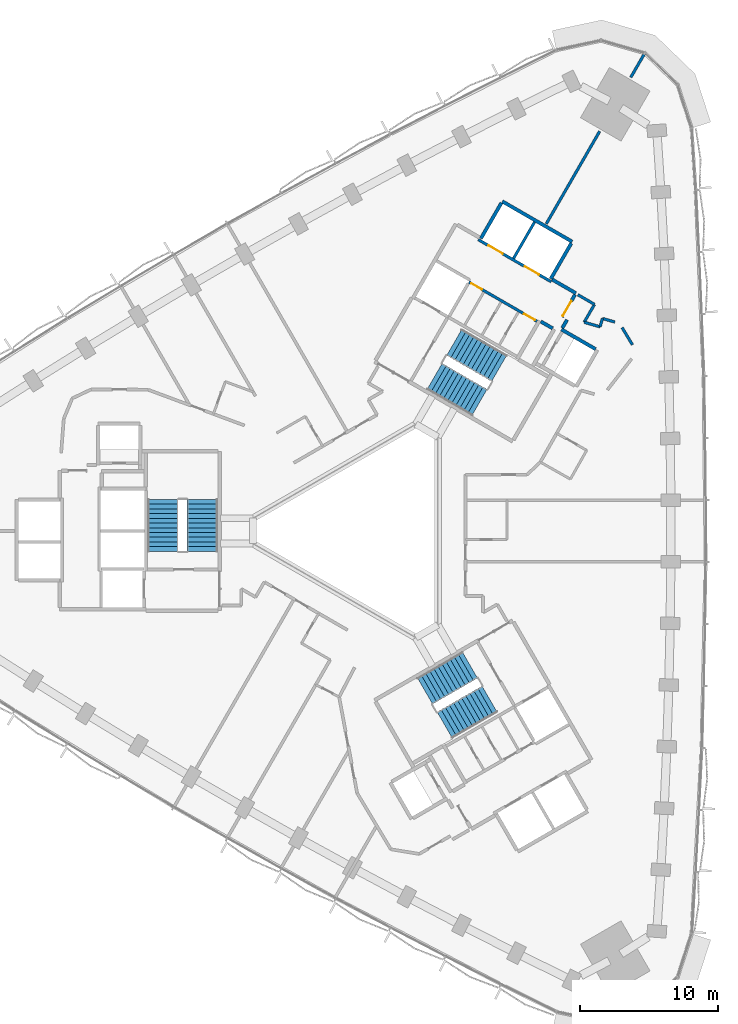
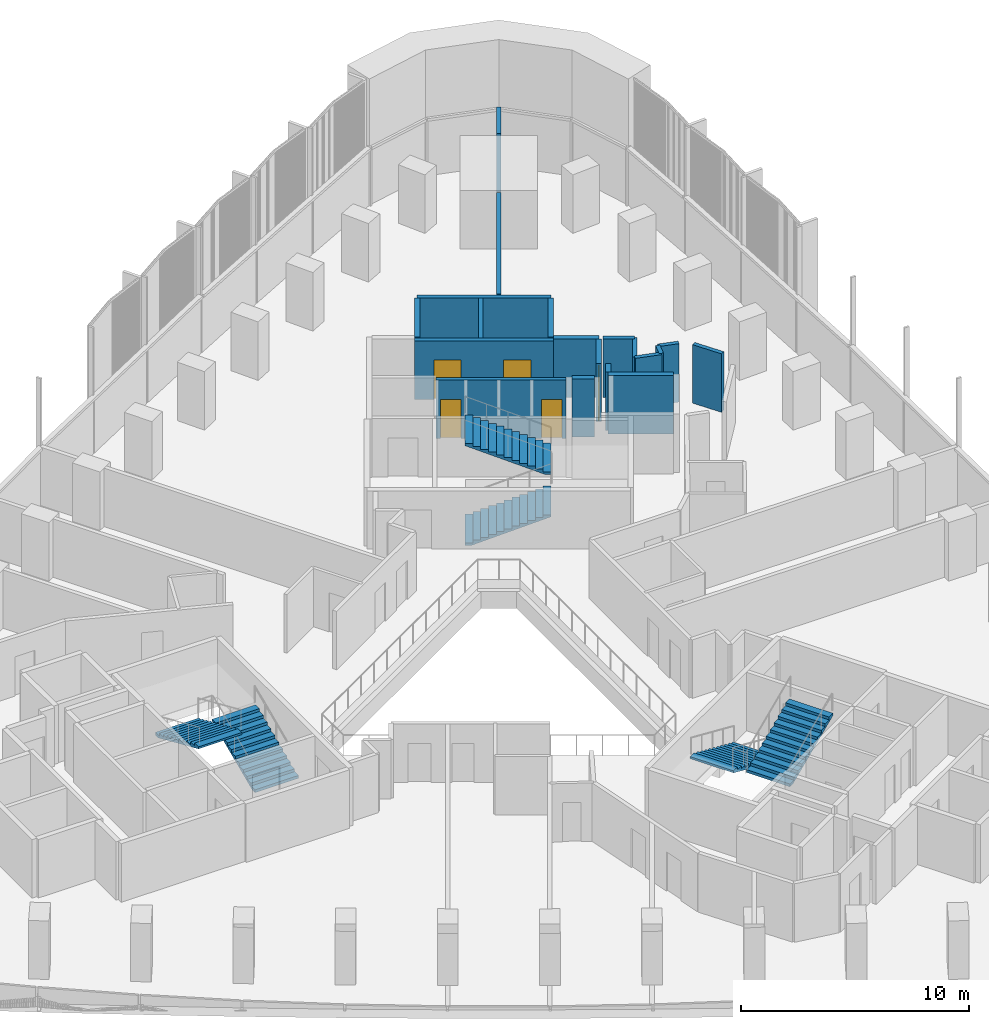
# One storey, part 13 of 16: 19 walls, 6 stair flights, 5 doors, 5 openings, 3 elements without a shape of their own.
"""IFC4 building model written with IfcOpenShell, lengths in metres."""

from ifc_helpers import new_model, si_unit, direction, frame, frame_2d, origin, place, context, subcontext, project, spatial, polyline, rectangle, outline, extrude, material, layer, layer_set, type_object, element, fill, aggregate, save


model = new_model("IFC4")

# Units and contexts
model_context = context("Model", 3, precision=1e-05, world=origin(), true_north=direction((0.0, 1.0)))
body_context = subcontext(model_context, "Body", "Model", "MODEL_VIEW")
ifc_project = project(units=[si_unit("LENGTHUNIT", "METRE"), si_unit("AREAUNIT", "SQUARE_METRE"), si_unit("VOLUMEUNIT", "CUBIC_METRE"), si_unit("PLANEANGLEUNIT", "RADIAN"), si_unit("MASSUNIT", "GRAM", prefix="KILO")], contexts=[model_context])

# Site, building, storey
site_placement = place(None, origin())
site = spatial("IfcSite", under=ifc_project, at=site_placement, CompositionType="ELEMENT")
building_placement = place(site_placement, origin())
building = spatial("IfcBuilding", under=site, at=building_placement, Name="Tamra Quay Hotel Tower", CompositionType="ELEMENT")
storey_placement = place(building_placement, frame((0.0, 0.0, 45.800048828125)))
storey = spatial("IfcBuildingStorey", under=building, at=storey_placement, Name="L09", CompositionType="ELEMENT", Elevation=45.800048828125)

# Wall, openings, doors
ifc_material_1 = material(Name="Concrete M70", Category="concrete")
ifc_layer_1 = layer(ifc_material_1, 0.199951171875)
ifc_layer_set_1 = layer_set([ifc_layer_1], Name="Concrete M70 core wall 200")
wall_type_1 = type_object("IfcWallType", Name="Concrete M70 core wall 200", PredefinedType="SHEAR", material=ifc_layer_set_1)
wall_1_placement = place(storey_placement, frame((13.209716796875, 18.07958984375, 0.0), z_axis=(0.0, 0.0, 1.0), x_axis=(-0.866030299012, 0.499991521122, 0.0)))
wall_1 = element("IfcWall", 1, at=wall_1_placement, inside=storey, type_object=wall_type_1, Name="CW2", PredefinedType="SHEAR", context=body_context, shape_type="SweptSolid", body=[
    extrude(rectangle(XDim=6.10009765625, YDim=0.199951171875, at=frame_2d((3.050048828125, 0.0))), origin(), (0.0, 0.0, 1.0), 3.125),
])
opening_1_placement = place(wall_1_placement, frame((1.0, 0.0, 0.0)))
opening_1 = element("IfcOpeningElement", 2, at=opening_1_placement, cuts=wall_1, Name="Opening LD", PredefinedType="OPENING", context=body_context, shape_type="SweptSolid", body=[
    extrude(rectangle(XDim=1.199951171875, YDim=2.10009765625, at=frame_2d((0.60009765625, 1.050048828125))), frame((0.0, 0.10986328125, 0.0), z_axis=(0.0, -1.0, 0.0), x_axis=(1.0, 0.0, 0.0)), (0.0, 0.0, 1.0), 0.219970703125),
])
opening_2_placement = place(wall_1_placement, frame((4.05029296875, 0.0, 0.0)))
opening_2 = element("IfcOpeningElement", 3, at=opening_2_placement, cuts=wall_1, Name="Opening LD", PredefinedType="OPENING", context=body_context, shape_type="SweptSolid", body=[
    extrude(rectangle(XDim=1.199951171875, YDim=2.10009765625, at=frame_2d((0.60009765625, 1.050048828125))), frame((0.0, 0.10986328125, 0.0), z_axis=(0.0, -1.0, 0.0), x_axis=(1.0, 0.0, 0.0)), (0.0, 0.0, 1.0), 0.219970703125),
])
ifc_material_2 = material(Name="Landing door LD 1200 double door sliding")
door_type_1 = type_object("IfcDoorType", Name="Landing door LD 1200 double door sliding", OperationType="DOUBLE_DOOR_SLIDING", PredefinedType="DOOR", material=ifc_material_2)
door_1_placement = place(opening_1_placement, origin())
door_1 = element("IfcDoor", 4, at=door_1_placement, inside=storey, type_object=door_type_1, Name="LD", OperationType="DOUBLE_DOOR_SLIDING", OverallHeight=2.10009765625, OverallWidth=1.199951171875, PredefinedType="DOOR", context=body_context, shape_type="SweptSolid", body=[
    extrude(rectangle(XDim=1.199951171875, YDim=2.10009765625, at=frame_2d((0.60009765625, 1.050048828125))), frame((0.0, 0.02490234375, 0.0), z_axis=(0.0, -1.0, 0.0), x_axis=(1.0, 0.0, 0.0)), (0.0, 0.0, 1.0), 0.050048828125),
])
fill(opening_1, door_1)
door_2_placement = place(opening_2_placement, origin())
door_2 = element("IfcDoor", 5, at=door_2_placement, inside=storey, type_object=door_type_1, Name="LD", OperationType="DOUBLE_DOOR_SLIDING", OverallHeight=2.10009765625, OverallWidth=1.199951171875, PredefinedType="DOOR", context=body_context, shape_type="SweptSolid", body=[
    extrude(rectangle(XDim=1.199951171875, YDim=2.10009765625, at=frame_2d((0.60009765625, 1.050048828125))), frame((0.0, 0.02490234375, 0.0), z_axis=(0.0, -1.0, 0.0), x_axis=(1.0, 0.0, 0.0)), (0.0, 0.0, 1.0), 0.050048828125),
])
fill(opening_2, door_2)

wall_2_placement = place(storey_placement, frame((12.18505859375, 15.20703125, 0.0), z_axis=(0.0, 0.0, 1.0), x_axis=(-0.866020080793, 0.500009219579, 0.0)))
wall_2 = element("IfcWall", 6, at=wall_2_placement, inside=storey, type_object=wall_type_1, Name="CW2", PredefinedType="SHEAR", context=body_context, shape_type="SweptSolid", body=[
    extrude(rectangle(XDim=5.69921875, YDim=0.199951171875, at=frame_2d((2.849609375, 0.0))), origin(), (0.0, 0.0, 1.0), 3.125),
])
opening_3_placement = place(wall_2_placement, frame((0.174072265625, 0.0, 0.0)))
opening_3 = element("IfcOpeningElement", 7, at=opening_3_placement, cuts=wall_2, Name="Opening D2", PredefinedType="OPENING", context=body_context, shape_type="SweptSolid", body=[
    extrude(rectangle(XDim=0.89990234375, YDim=2.10009765625, at=frame_2d((0.449951171875, 1.050048828125))), frame((0.0, 0.10986328125, 0.0), z_axis=(0.0, -1.0, 0.0), x_axis=(1.0, 0.0, 0.0)), (0.0, 0.0, 1.0), 0.219970703125),
])
opening_4_placement = place(wall_2_placement, frame((4.59912109375, 0.0, 0.0)))
opening_4 = element("IfcOpeningElement", 8, at=opening_4_placement, cuts=wall_2, Name="Opening D2", PredefinedType="OPENING", context=body_context, shape_type="SweptSolid", body=[
    extrude(rectangle(XDim=0.89990234375, YDim=2.10009765625, at=frame_2d((0.449951171875, 1.050048828125))), frame((0.0, 0.10986328125, 0.0), z_axis=(0.0, -1.0, 0.0), x_axis=(1.0, 0.0, 0.0)), (0.0, 0.0, 1.0), 0.219970703125),
])
ifc_material_3 = material(Name="Core door D2 900x2100 LH")
door_type_2 = type_object("IfcDoorType", Name="Core door D2 900x2100 LH", OperationType="NOTDEFINED", PredefinedType="DOOR", material=ifc_material_3)
door_3_placement = place(opening_3_placement, origin())
door_3 = element("IfcDoor", 9, at=door_3_placement, inside=storey, type_object=door_type_2, Name="D2", OperationType="SINGLE_SWING_LEFT", OverallHeight=2.10009765625, OverallWidth=0.89990234375, PredefinedType="DOOR", context=body_context, shape_type="SweptSolid", body=[
    extrude(rectangle(XDim=0.89990234375, YDim=2.10009765625, at=frame_2d((0.449951171875, 1.050048828125))), frame((0.0, 0.02490234375, 0.0), z_axis=(0.0, -1.0, 0.0), x_axis=(1.0, 0.0, 0.0)), (0.0, 0.0, 1.0), 0.050048828125),
])
fill(opening_3, door_3)
ifc_material_4 = material(Name="Core door D2 900x2100 RH")
door_type_3 = type_object("IfcDoorType", Name="Core door D2 900x2100 RH", OperationType="NOTDEFINED", PredefinedType="DOOR", material=ifc_material_4)
door_4_placement = place(opening_4_placement, origin())
door_4 = element("IfcDoor", 10, at=door_4_placement, inside=storey, type_object=door_type_3, Name="D2", OperationType="SINGLE_SWING_RIGHT", OverallHeight=2.10009765625, OverallWidth=0.89990234375, PredefinedType="DOOR", context=body_context, shape_type="SweptSolid", body=[
    extrude(rectangle(XDim=0.89990234375, YDim=2.10009765625, at=frame_2d((0.449951171875, 1.050048828125))), frame((0.0, 0.02490234375, 0.0), z_axis=(0.0, -1.0, 0.0), x_axis=(1.0, 0.0, 0.0)), (0.0, 0.0, 1.0), 0.050048828125),
])
fill(opening_4, door_4)

# Walls
wall_3_placement = place(storey_placement, frame((10.48876953125, 19.76708984375, 0.0), z_axis=(0.0, 0.0, 1.0), x_axis=(0.499946628782, 0.866056215479, 0.0)))
element("IfcWall", 11, at=wall_3_placement, inside=storey, type_object=wall_type_1, Name="CW2", PredefinedType="SHEAR", context=body_context, shape_type="SweptSolid", body=[
    extrude(rectangle(XDim=3.048095703125, YDim=0.199951171875, at=frame_2d((1.52392578125, 0.0))), origin(), (0.0, 0.0, 1.0), 3.125),
])
ifc_layer_2 = layer(ifc_material_1, 0.25)
ifc_layer_set_2 = layer_set([ifc_layer_2], Name="Concrete M70 core wall 250")
wall_type_2 = type_object("IfcWallType", Name="Concrete M70 core wall 250", PredefinedType="SHEAR", material=ifc_layer_set_2)
wall_4_placement = place(storey_placement, frame((9.672607421875, 23.9033203125, 0.0), z_axis=(0.0, 0.0, 1.0), x_axis=(0.86603616409, -0.499981362141, 0.0)))
element("IfcWall", 12, at=wall_4_placement, inside=storey, type_object=wall_type_2, Name="CW1", PredefinedType="SHEAR", context=body_context, shape_type="SweptSolid", body=[
    extrude(rectangle(XDim=5.849853515625, YDim=0.25, at=frame_2d((2.9248046875, 0.0))), origin(), (0.0, 0.0, 1.0), 3.125),
])
for number, where, z_axis, x_axis, name in (
    (13, (8.12255859375, 21.21875, 0.0), (0.0, 0.0, 1.0), (0.499987686533, 0.866032512851, 0.0), "CW1"),
    (14, (14.67626953125, 20.869873046875, 0.0), (0.0, 0.0, 1.0), (-0.499987686533, -0.866032512851, 0.0), "CW1"),
):
    element("IfcWall", number, at=place(storey_placement, frame(where, z_axis=z_axis, x_axis=x_axis)), inside=storey, type_object=wall_type_2, Name=name, PredefinedType="SHEAR", context=body_context, shape_type="SweptSolid", body=[
        extrude(rectangle(XDim=2.974609375, YDim=0.25, at=frame_2d((1.4873046875, 0.0))), origin(), (0.0, 0.0, 1.0), 3.125),
    ])
wall_5_placement = place(storey_placement, frame((13.962646484375, 14.61376953125, 0.0), z_axis=(0.0, 0.0, 1.0), x_axis=(0.866042235819, -0.499970844928, 0.0)))
element("IfcWall", 15, at=wall_5_placement, inside=storey, type_object=wall_type_2, Name="CW1", PredefinedType="SHEAR", context=body_context, shape_type="SweptSolid", body=[
    extrude(rectangle(XDim=2.864501953125, YDim=0.25, at=frame_2d((1.43212890625, 0.0))), origin(), (0.0, 0.0, 1.0), 3.125),
])
wall_6_placement = place(storey_placement, frame((13.29736328125, 18.23095703125, 0.0), z_axis=(0.0, 0.0, 1.0), x_axis=(0.866043531843, -0.499968599967, 0.0)))
element("IfcWall", 16, at=wall_6_placement, inside=storey, type_object=wall_type_2, Name="CW1", PredefinedType="SHEAR", context=body_context, shape_type="SweptSolid", body=[
    extrude(rectangle(XDim=1.974853515625, YDim=0.25, at=frame_2d((0.9873046875, 0.0))), origin(), (0.0, 0.0, 1.0), 3.125),
])

# Wall, opening, door
wall_7_placement = place(storey_placement, frame((14.94482421875, 17.13525390625, 0.0), z_axis=(0.0, 0.0, 1.0), x_axis=(-0.499983108224, -0.866035156036, 0.0)))
wall_7 = element("IfcWall", 17, at=wall_7_placement, inside=storey, type_object=wall_type_2, Name="CW1", PredefinedType="SHEAR", context=body_context, shape_type="SweptSolid", body=[
    extrude(rectangle(XDim=1.86474609375, YDim=0.25, at=frame_2d((0.932373046875, 0.0))), origin(), (0.0, 0.0, 1.0), 3.125),
])
opening_5_placement = place(wall_7_placement, frame((0.53466796875, 0.0, 0.0)))
opening_5 = element("IfcOpeningElement", 18, at=opening_5_placement, cuts=wall_7, Name="Opening FD3", PredefinedType="OPENING", context=body_context, shape_type="SweptSolid", body=[
    extrude(rectangle(XDim=1.25, YDim=2.10009765625, at=frame_2d((0.625, 1.050048828125))), frame((0.0, 0.135009765625, 0.0), z_axis=(0.0, -1.0, 0.0), x_axis=(1.0, 0.0, 0.0)), (0.0, 0.0, 1.0), 0.27001953125),
])
ifc_material_5 = material(Name="Core door FD3 1250x2100 LH")
door_type_4 = type_object("IfcDoorType", Name="Core door FD3 1250x2100 LH", OperationType="NOTDEFINED", PredefinedType="DOOR", material=ifc_material_5)
door_5_placement = place(opening_5_placement, origin())
door_5 = element("IfcDoor", 19, at=door_5_placement, inside=storey, type_object=door_type_4, Name="FD3", OperationType="SINGLE_SWING_LEFT", OverallHeight=2.10009765625, OverallWidth=1.25, PredefinedType="DOOR", context=body_context, shape_type="SweptSolid", body=[
    extrude(rectangle(XDim=1.25, YDim=2.10009765625, at=frame_2d((0.625, 1.050048828125))), frame((0.0, 0.02490234375, 0.0), z_axis=(0.0, -1.0, 0.0), x_axis=(1.0, 0.0, 0.0)), (0.0, 0.0, 1.0), 0.050048828125),
])
fill(opening_5, door_5)

# Walls
wall_8_placement = place(storey_placement, frame((13.322021484375, 14.695068359375, 0.0), z_axis=(0.0, 0.0, 1.0), x_axis=(-0.866017078145, 0.500014420154, 0.0)))
element("IfcWall", 20, at=wall_8_placement, inside=storey, type_object=wall_type_2, Name="CW1", PredefinedType="SHEAR", context=body_context, shape_type="SweptSolid", body=[
    extrude(rectangle(XDim=0.9892578125, YDim=0.25, at=frame_2d((0.49462890625, 0.0))), origin(), (0.0, 0.0, 1.0), 3.125),
])
wall_9_placement = place(storey_placement, frame((14.36767578125, 15.3154296875, 0.0), z_axis=(0.0, 0.0, 1.0), x_axis=(-0.499897359611, -0.866084655132, 0.0)))
element("IfcWall", 21, at=wall_9_placement, inside=storey, type_object=wall_type_2, Name="CW1", PredefinedType="SHEAR", context=body_context, shape_type="SweptSolid", body=[
    extrude(rectangle(XDim=0.684814453125, YDim=0.25, at=frame_2d((0.34228515625, 0.0))), origin(), (0.0, 0.0, 1.0), 3.125),
])
ifc_material_6 = material(Name="Partition corridor wall")
ifc_layer_3 = layer(ifc_material_6, 0.199951171875)
ifc_layer_set_3 = layer_set([ifc_layer_3], Name="Partition corridor wall")
wall_type_3 = type_object("IfcWallType", Name="Partition corridor wall", PredefinedType="PARTITIONING", material=ifc_layer_set_3)
wall_10_placement = place(storey_placement, frame((15.155517578125, 17.130126953125, 0.0), z_axis=(0.0, 0.0, 1.0), x_axis=(0.865755062894, -0.500467952093, 0.0)))
element("IfcWall", 22, at=wall_10_placement, inside=storey, type_object=wall_type_3, Name="W-C", PredefinedType="PARTITIONING", context=body_context, shape_type="SweptSolid", body=[
    extrude(rectangle(XDim=1.388916015625, YDim=0.199951171875, at=frame_2d((0.6943359375, 0.0))), origin(), (0.0, 0.0, 1.0), 3.125),
])
wall_11_placement = place(storey_placement, frame((15.60888671875, 15.135986328125, 0.0), z_axis=(0.0, 0.0, 1.0), x_axis=(0.499501622561, 0.866312950993, 0.0)))
element("IfcWall", 23, at=wall_11_placement, inside=storey, type_object=wall_type_3, Name="W-C", PredefinedType="PARTITIONING", context=body_context, shape_type="SweptSolid", body=[
    extrude(rectangle(XDim=1.49951171875, YDim=0.199951171875, at=frame_2d((0.749755859375, 0.0))), origin(), (0.0, 0.0, 1.0), 3.125),
])
wall_12_placement = place(storey_placement, frame((15.60888671875, 15.135986328125, 0.0), z_axis=(0.0, 0.0, 1.0), x_axis=(0.961662011825, -0.274237442763, 0.0)))
element("IfcWall", 24, at=wall_12_placement, inside=storey, type_object=wall_type_3, Name="W-C", PredefinedType="PARTITIONING", context=body_context, shape_type="SweptSolid", body=[
    extrude(rectangle(XDim=1.199951171875, YDim=0.199951171875, at=frame_2d((0.60009765625, 0.0))), origin(), (0.0, 0.0, 1.0), 3.125),
])
wall_13_placement = place(storey_placement, frame((16.762939453125, 14.806884765625, 0.0), z_axis=(0.0, 0.0, 1.0), x_axis=(0.274464026122, 0.961597368115, 0.0)))
element("IfcWall", 25, at=wall_13_placement, inside=storey, type_object=wall_type_3, Name="W-C", PredefinedType="PARTITIONING", context=body_context, shape_type="SweptSolid", body=[
    extrude(rectangle(XDim=0.627197265625, YDim=0.199951171875, at=frame_2d((0.3134765625, 0.0))), origin(), (0.0, 0.0, 1.0), 3.125),
])
wall_14_placement = place(storey_placement, frame((16.93505859375, 15.409912109375, 0.0), z_axis=(0.0, 0.0, 1.0), x_axis=(0.961602664273, -0.274445470107, 0.0)))
element("IfcWall", 26, at=wall_14_placement, inside=storey, type_object=wall_type_3, Name="W-C", PredefinedType="PARTITIONING", context=body_context, shape_type="SweptSolid", body=[
    extrude(rectangle(XDim=0.935791015625, YDim=0.199951171875, at=frame_2d((0.4677734375, 0.0))), origin(), (0.0, 0.0, 1.0), 3.125),
])
wall_15_placement = place(storey_placement, frame((18.360107421875, 14.7509765625, 0.0), z_axis=(0.0, 0.0, 1.0), x_axis=(0.514495755428, -0.857492925713, 0.0)))
element("IfcWall", 27, at=wall_15_placement, inside=storey, type_object=wall_type_3, Name="W-C", PredefinedType="PARTITIONING", context=body_context, shape_type="SweptSolid", body=[
    extrude(rectangle(XDim=1.457763671875, YDim=0.199951171875, at=frame_2d((0.72900390625, 0.0))), origin(), (0.0, 0.0, 1.0), 3.125),
])
ifc_material_7 = material(Name="Partition party wall")
ifc_layer_4 = layer(ifc_material_7, 0.199951171875)
ifc_layer_set_4 = layer_set([ifc_layer_4], Name="Partition party wall")
wall_type_4 = type_object("IfcWallType", Name="Partition party wall", PredefinedType="PARTITIONING", material=ifc_layer_set_4)
wall_16_placement = place(storey_placement, frame((12.861083984375, 22.276123046875, 0.0), z_axis=(0.0, 0.0, 1.0), x_axis=(0.499824227645, 0.86612686222, 0.0)))
element("IfcWall", 28, at=wall_16_placement, inside=storey, type_object=wall_type_4, Name="W-P", PredefinedType="PARTITIONING", context=body_context, shape_type="SweptSolid", body=[
    extrude(rectangle(XDim=7.752685546875, YDim=0.199951171875, at=frame_2d((3.87646484375, 0.0))), origin(), (0.0, 0.0, 1.0), 3.125),
])
wall_17_placement = place(storey_placement, frame((18.987060546875, 32.89208984375, 0.0), z_axis=(0.0, 0.0, 1.0), x_axis=(0.499812681335, 0.866133525259, 0.0)))
element("IfcWall", 29, at=wall_17_placement, inside=storey, type_object=wall_type_4, Name="W-P", PredefinedType="PARTITIONING", context=body_context, shape_type="SweptSolid", body=[
    extrude(rectangle(XDim=2.030029296875, YDim=0.199951171875, at=frame_2d((1.01513671875, 0.0))), origin(), (0.0, 0.0, 1.0), 3.125),
])

# Stair, stair flights
ifc_material_8 = material(Name="Exit stair 2200 24 risers 150.0 going 342")
stair_type = type_object("IfcStairType", Name="Exit stair 2200 24 risers 150.0 going 342", PredefinedType="HALF_TURN_STAIR", material=ifc_material_8)
stair_1_placement = place(storey_placement, origin())
stair_1 = element("IfcStair", 30, at=stair_1_placement, inside=storey, type_object=stair_type, Name="L09 Exit stair ST3", PredefinedType="HALF_TURN_STAIR")
ifc_material_9 = material(Name="Exit stair flight 2200 12 risers 150.0")
stair_flight_type = type_object("IfcStairFlightType", Name="Exit stair flight 2200 12 risers 150.0", PredefinedType="STRAIGHT", material=ifc_material_9)
stair_flight_1_placement = place(storey_placement, frame((-12.082275390625, -1.47998046875, 0.0), z_axis=(0.0, 0.0, 1.0), x_axis=(0.0, 1.0, 0.0)))
stair_flight_1 = element("IfcStairFlight", 31, at=stair_flight_1_placement, type_object=stair_flight_type, Name="ST3 flight 1", NumberOfRisers=12, NumberOfTreads=11, PredefinedType="STRAIGHT", RiserHeight=0.15, TreadLength=0.342, context=body_context, shape_type="SweptSolid", body=[
    extrude(outline(polyline([(0.0, 0.0), (0.0, 0.14990234375), (0.342041015625, 0.14990234375), (0.342041015625, 0.300048828125), (0.68408203125, 0.300048828125), (0.68408203125, 0.449951171875), (1.02587890625, 0.449951171875), (1.02587890625, 0.60009765625), (1.367919921875, 0.60009765625), (1.367919921875, 0.75), (1.7099609375, 0.75), (1.7099609375, 0.89990234375), (2.052001953125, 0.89990234375), (2.052001953125, 1.050048828125), (2.39404296875, 1.050048828125), (2.39404296875, 1.199951171875), (2.736083984375, 1.199951171875), (2.736083984375, 1.35009765625), (3.077880859375, 1.35009765625), (3.077880859375, 1.5), (3.419921875, 1.5), (3.419921875, 1.64990234375), (3.761962890625, 1.64990234375), (3.761962890625, 1.800048828125), (3.761962890625, 1.540771484375), (0.249267578125, 0.0), (0.0, 0.0)])), frame((0.0, 1.10009765625, 0.0), z_axis=(0.0, -1.0, 0.0), x_axis=(1.0, 0.0, 0.0)), (0.0, 0.0, 1.0), 2.199951171875),
])
stair_flight_2_placement = place(storey_placement, frame((-14.94140625, 2.281982421875, 1.800048828125), z_axis=(0.0, 0.0, 1.0), x_axis=(0.0, -1.0, 0.0)))
stair_flight_2 = element("IfcStairFlight", 32, at=stair_flight_2_placement, type_object=stair_flight_type, Name="ST3 flight 2", NumberOfRisers=12, NumberOfTreads=11, PredefinedType="STRAIGHT", RiserHeight=0.15, TreadLength=0.342, context=body_context, shape_type="SweptSolid", body=[
    extrude(outline(polyline([(0.0, 0.0), (0.0, 0.14990234375), (0.342041015625, 0.14990234375), (0.342041015625, 0.300048828125), (0.68408203125, 0.300048828125), (0.68408203125, 0.449951171875), (1.02587890625, 0.449951171875), (1.02587890625, 0.60009765625), (1.367919921875, 0.60009765625), (1.367919921875, 0.75), (1.7099609375, 0.75), (1.7099609375, 0.89990234375), (2.052001953125, 0.89990234375), (2.052001953125, 1.050048828125), (2.39404296875, 1.050048828125), (2.39404296875, 1.199951171875), (2.736083984375, 1.199951171875), (2.736083984375, 1.35009765625), (3.077880859375, 1.35009765625), (3.077880859375, 1.5), (3.419921875, 1.5), (3.419921875, 1.64990234375), (3.761962890625, 1.64990234375), (3.761962890625, 1.800048828125), (3.761962890625, 1.540771484375), (0.249267578125, 0.0), (0.0, 0.0)])), frame((0.0, 1.10009765625, 0.0), z_axis=(0.0, -1.0, 0.0), x_axis=(1.0, 0.0, 0.0)), (0.0, 0.0, 1.0), 2.199951171875),
])
aggregate(stair_1, [stair_flight_1, stair_flight_2])

stair_2_placement = place(storey_placement, origin())
stair_2 = element("IfcStair", 33, at=stair_2_placement, inside=storey, type_object=stair_type, Name="L09 Exit stair ST1", PredefinedType="HALF_TURN_STAIR")
stair_flight_3_placement = place(storey_placement, frame((4.75927734375, 11.20361328125, 0.0), z_axis=(0.0, 0.0, 1.0), x_axis=(0.866025403784, -0.5, 0.0)))
stair_flight_3 = element("IfcStairFlight", 34, at=stair_flight_3_placement, type_object=stair_flight_type, Name="ST1 flight 1", NumberOfRisers=12, NumberOfTreads=11, PredefinedType="STRAIGHT", RiserHeight=0.15, TreadLength=0.342, context=body_context, shape_type="SweptSolid", body=[
    extrude(outline(polyline([(0.0, 0.0), (0.0, 0.14990234375), (0.342041015625, 0.14990234375), (0.342041015625, 0.300048828125), (0.68408203125, 0.300048828125), (0.68408203125, 0.449951171875), (1.02587890625, 0.449951171875), (1.02587890625, 0.60009765625), (1.367919921875, 0.60009765625), (1.367919921875, 0.75), (1.7099609375, 0.75), (1.7099609375, 0.89990234375), (2.052001953125, 0.89990234375), (2.052001953125, 1.050048828125), (2.39404296875, 1.050048828125), (2.39404296875, 1.199951171875), (2.736083984375, 1.199951171875), (2.736083984375, 1.35009765625), (3.077880859375, 1.35009765625), (3.077880859375, 1.5), (3.419921875, 1.5), (3.419921875, 1.64990234375), (3.761962890625, 1.64990234375), (3.761962890625, 1.800048828125), (3.761962890625, 1.540771484375), (0.249267578125, 0.0), (0.0, 0.0)])), frame((0.0, 1.10009765625, 0.0), z_axis=(0.0, -1.0, 0.0), x_axis=(1.0, 0.0, 0.0)), (0.0, 0.0, 1.0), 2.199951171875),
])
stair_flight_4_placement = place(storey_placement, frame((9.44677734375, 11.798583984375, 1.800048828125), z_axis=(0.0, 0.0, 1.0), x_axis=(-0.866025403784, 0.5, 0.0)))
stair_flight_4 = element("IfcStairFlight", 35, at=stair_flight_4_placement, type_object=stair_flight_type, Name="ST1 flight 2", NumberOfRisers=12, NumberOfTreads=11, PredefinedType="STRAIGHT", RiserHeight=0.15, TreadLength=0.342, context=body_context, shape_type="SweptSolid", body=[
    extrude(outline(polyline([(0.0, 0.0), (0.0, 0.14990234375), (0.342041015625, 0.14990234375), (0.342041015625, 0.300048828125), (0.68408203125, 0.300048828125), (0.68408203125, 0.449951171875), (1.02587890625, 0.449951171875), (1.02587890625, 0.60009765625), (1.367919921875, 0.60009765625), (1.367919921875, 0.75), (1.7099609375, 0.75), (1.7099609375, 0.89990234375), (2.052001953125, 0.89990234375), (2.052001953125, 1.050048828125), (2.39404296875, 1.050048828125), (2.39404296875, 1.199951171875), (2.736083984375, 1.199951171875), (2.736083984375, 1.35009765625), (3.077880859375, 1.35009765625), (3.077880859375, 1.5), (3.419921875, 1.5), (3.419921875, 1.64990234375), (3.761962890625, 1.64990234375), (3.761962890625, 1.800048828125), (3.761962890625, 1.540771484375), (0.249267578125, 0.0), (0.0, 0.0)])), frame((0.0, 1.10009765625, 0.0), z_axis=(0.0, -1.0, 0.0), x_axis=(1.0, 0.0, 0.0)), (0.0, 0.0, 1.0), 2.199951171875),
])
aggregate(stair_2, [stair_flight_3, stair_flight_4])

stair_3_placement = place(storey_placement, origin())
stair_3 = element("IfcStair", 36, at=stair_3_placement, inside=storey, type_object=stair_type, Name="L09 Exit stair ST2", PredefinedType="HALF_TURN_STAIR")
stair_flight_5_placement = place(storey_placement, frame((7.322998046875, -9.7236328125, 0.0), z_axis=(0.0, 0.0, 1.0), x_axis=(-0.866025403784, -0.5, 0.0)))
stair_flight_5 = element("IfcStairFlight", 37, at=stair_flight_5_placement, type_object=stair_flight_type, Name="ST2 flight 1", NumberOfRisers=12, NumberOfTreads=11, PredefinedType="STRAIGHT", RiserHeight=0.15, TreadLength=0.342, context=body_context, shape_type="SweptSolid", body=[
    extrude(outline(polyline([(0.0, 0.0), (0.0, 0.14990234375), (0.342041015625, 0.14990234375), (0.342041015625, 0.300048828125), (0.68408203125, 0.300048828125), (0.68408203125, 0.449951171875), (1.02587890625, 0.449951171875), (1.02587890625, 0.60009765625), (1.367919921875, 0.60009765625), (1.367919921875, 0.75), (1.7099609375, 0.75), (1.7099609375, 0.89990234375), (2.052001953125, 0.89990234375), (2.052001953125, 1.050048828125), (2.39404296875, 1.050048828125), (2.39404296875, 1.199951171875), (2.736083984375, 1.199951171875), (2.736083984375, 1.35009765625), (3.077880859375, 1.35009765625), (3.077880859375, 1.5), (3.419921875, 1.5), (3.419921875, 1.64990234375), (3.761962890625, 1.64990234375), (3.761962890625, 1.800048828125), (3.761962890625, 1.540771484375), (0.249267578125, 0.0), (0.0, 0.0)])), frame((0.0, 1.10009765625, 0.0), z_axis=(0.0, -1.0, 0.0), x_axis=(1.0, 0.0, 0.0)), (0.0, 0.0, 1.0), 2.199951171875),
])
stair_flight_6_placement = place(storey_placement, frame((5.494384765625, -14.08056640625, 1.800048828125), z_axis=(0.0, 0.0, 1.0), x_axis=(0.866025403784, 0.5, 0.0)))
stair_flight_6 = element("IfcStairFlight", 38, at=stair_flight_6_placement, type_object=stair_flight_type, Name="ST2 flight 2", NumberOfRisers=12, NumberOfTreads=11, PredefinedType="STRAIGHT", RiserHeight=0.15, TreadLength=0.342, context=body_context, shape_type="SweptSolid", body=[
    extrude(outline(polyline([(0.0, 0.0), (0.0, 0.14990234375), (0.342041015625, 0.14990234375), (0.342041015625, 0.300048828125), (0.68408203125, 0.300048828125), (0.68408203125, 0.449951171875), (1.02587890625, 0.449951171875), (1.02587890625, 0.60009765625), (1.367919921875, 0.60009765625), (1.367919921875, 0.75), (1.7099609375, 0.75), (1.7099609375, 0.89990234375), (2.052001953125, 0.89990234375), (2.052001953125, 1.050048828125), (2.39404296875, 1.050048828125), (2.39404296875, 1.199951171875), (2.736083984375, 1.199951171875), (2.736083984375, 1.35009765625), (3.077880859375, 1.35009765625), (3.077880859375, 1.5), (3.419921875, 1.5), (3.419921875, 1.64990234375), (3.761962890625, 1.64990234375), (3.761962890625, 1.800048828125), (3.761962890625, 1.540771484375), (0.249267578125, 0.0), (0.0, 0.0)])), frame((0.0, 1.10009765625, 0.0), z_axis=(0.0, -1.0, 0.0), x_axis=(1.0, 0.0, 0.0)), (0.0, 0.0, 1.0), 2.199951171875),
])
aggregate(stair_3, [stair_flight_5, stair_flight_6])

save(model, "model.ifc")
